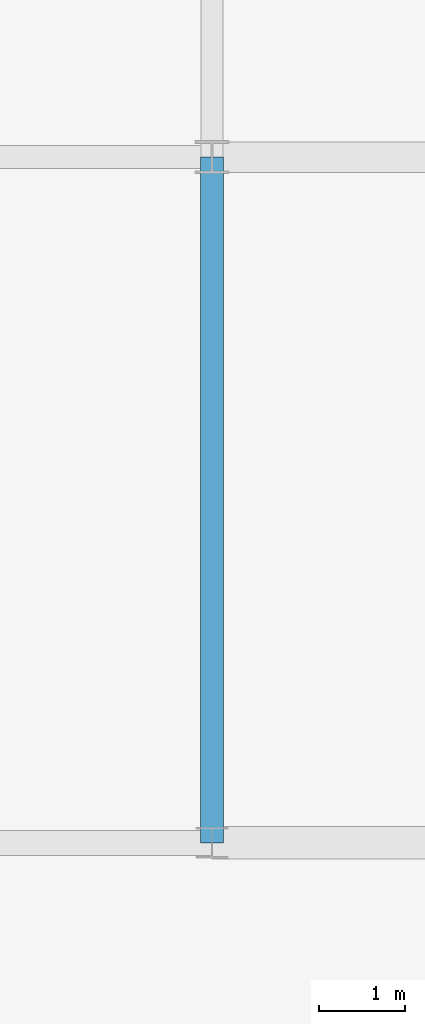
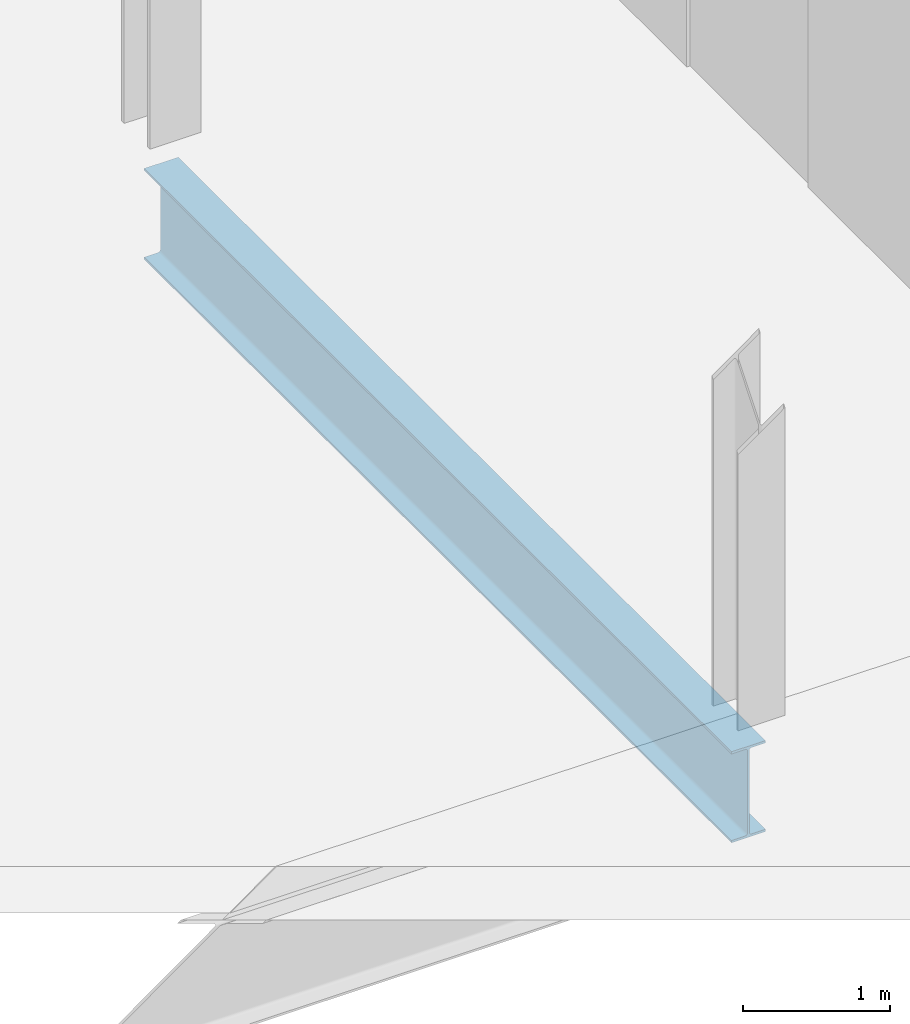
# One storey, part 34 of 122: 1 beam.
"""IFC4 building model written with IfcOpenShell, lengths in metres."""

from ifc_helpers import new_model, si_unit, direction, frame, origin, origin_2d, place, context, subcontext, project, spatial, i_section, extrude, material, material_profile, profile_set, type_object, element, save


model = new_model("IFC4")

# Units and contexts
model_context = context("Model", 3, precision=1e-05, world=origin(), true_north=direction((0.0, 1.0)))
body_context = subcontext(model_context, "Body", "Model", "MODEL_VIEW")
ifc_project = project(units=[si_unit("LENGTHUNIT", "METRE"), si_unit("AREAUNIT", "SQUARE_METRE"), si_unit("VOLUMEUNIT", "CUBIC_METRE"), si_unit("PLANEANGLEUNIT", "RADIAN"), si_unit("MASSUNIT", "GRAM", prefix="KILO"), si_unit("THERMODYNAMICTEMPERATUREUNIT", "KELVIN"), si_unit("POWERUNIT", "WATT")], contexts=[model_context])

# Site, building, storey
site_placement = place(None, origin())
site = spatial("IfcSite", under=ifc_project, at=site_placement, CompositionType="ELEMENT")
building_placement = place(site_placement, origin())
building = spatial("IfcBuilding", under=site, at=building_placement, Name="Zelmaris Science Centre", CompositionType="ELEMENT")
storey_placement = place(building_placement, frame((0.0, 0.0, 10.800048828125)))
storey = spatial("IfcBuildingStorey", under=building, at=storey_placement, Name="L02", CompositionType="ELEMENT", Elevation=10.800048828125)

# Beam
ifc_material = material(Name="Steel ASTM A992 Grade 50", Category="steel")
ifc_material_profile = material_profile(ifc_material, i_section(OverallWidth=0.26708984375, OverallDepth=0.757080078125, WebThickness=0.013916015625, FlangeThickness=0.019287109375, FilletRadius=0.01904296875, at=origin_2d()), Name="W30X108")
ifc_profile_set = profile_set([ifc_material_profile], Name="Steel ASTM A992 Grade 50")
beam_type = type_object("IfcBeamType", Name="Beam G-10 W30X108", PredefinedType="BEAM", material=ifc_profile_set)
beam_placement = place(storey_placement, frame((81.0, 64.0, -0.678466796875), z_axis=(0.0, 1.0, 0.0), x_axis=(-1.0, 0.0, 0.0)))
element("IfcBeam", 1, at=beam_placement, inside=storey, type_object=beam_type, Name="L02 North-south girder 501", PredefinedType="BEAM", context=body_context, shape_type="SweptSolid", body=[
    extrude(i_section(OverallWidth=0.26708984375, OverallDepth=0.757080078125, WebThickness=0.013916015625, FlangeThickness=0.019287109375, FilletRadius=0.01904296875, at=origin_2d()), origin(), (0.0, 0.0, 1.0), 8.0),
])

save(model, "model.ifc")
